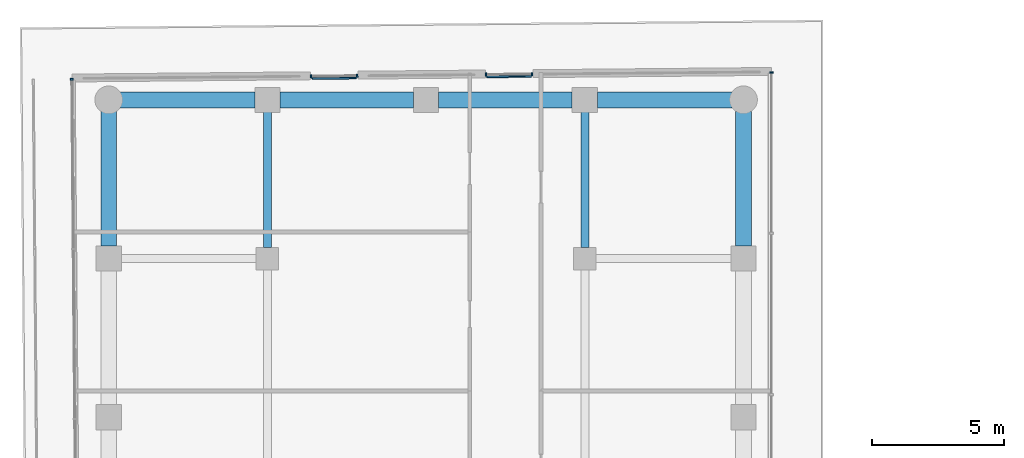
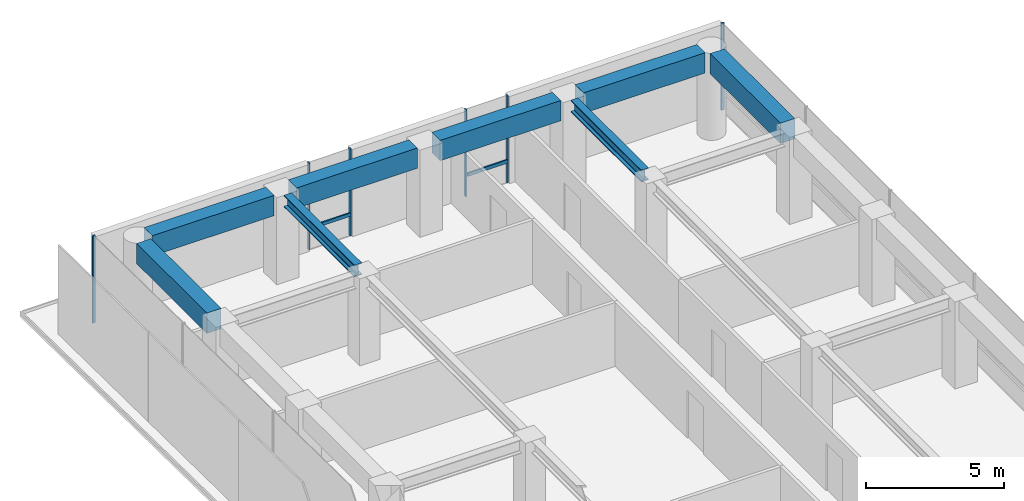
# One storey, part 20 of 28: 8 beams, 8 members, 4 elements without a shape of their own.
"""IFC4 building model written with IfcOpenShell, lengths in metres."""

from ifc_helpers import new_model, si_unit, direction, frame, origin, origin_2d, place, context, subcontext, project, spatial, rectangle, i_section, extrude, material, layer, layer_set, material_profile, profile_set, type_object, element, aggregate, save


model = new_model("IFC4")

# Units and contexts
model_context = context("Model", 3, precision=1e-05, world=origin(), true_north=direction((0.0, 1.0)))
body_context = subcontext(model_context, "Body", "Model", "MODEL_VIEW")
ifc_project = project(units=[si_unit("LENGTHUNIT", "METRE"), si_unit("AREAUNIT", "SQUARE_METRE"), si_unit("VOLUMEUNIT", "CUBIC_METRE"), si_unit("PLANEANGLEUNIT", "RADIAN"), si_unit("MASSUNIT", "GRAM", prefix="KILO")], contexts=[model_context])

# Site, building, storey
site_placement = place(None, origin())
site = spatial("IfcSite", under=ifc_project, at=site_placement, CompositionType="ELEMENT")
building_placement = place(site_placement, origin())
building = spatial("IfcBuilding", under=site, at=building_placement, Name="Welwitschia Terrace Campus", CompositionType="ELEMENT")
storey_placement = place(building_placement, frame((0.0, 0.0, 54.199951171875)))
storey = spatial("IfcBuildingStorey", under=building, at=storey_placement, Name="L12", CompositionType="ELEMENT", Elevation=54.199951171875)

# Beams
ifc_material_1 = material(Name="Steel S355", Category="steel")
ifc_material_profile_1 = material_profile(ifc_material_1, i_section(OverallWidth=0.305908203125, OverallDepth=0.52392578125, WebThickness=0.02099609375, FlangeThickness=0.0400390625, FilletRadius=0.027099609375, at=origin_2d()))
ifc_profile_set_1 = profile_set([ifc_material_profile_1], Name="Steel S355")
beam_type_1 = type_object("IfcBeamType", Name="Interior girder HE 500 M", PredefinedType="BEAM", material=ifc_profile_set_1)
for number, where, z_axis, x_axis, name in (
    (1, (6.0, 56.425537109375, 3.588134765625), (0.0, 1.0, 0.0), (-1.0, 0.0, 0.0), "Girder GB2"),
    (2, (18.0, 56.425537109375, 3.588134765625), (0.0, 1.0, 0.0), (-1.0, 0.0, 0.0), "Girder GB2"),
):
    element("IfcBeam", number, at=place(storey_placement, frame(where, z_axis=z_axis, x_axis=x_axis)), inside=storey, type_object=beam_type_1, Name=name, PredefinedType="BEAM", context=body_context, shape_type="SweptSolid", body=[
        extrude(i_section(OverallWidth=0.305908203125, OverallDepth=0.52392578125, WebThickness=0.02099609375, FlangeThickness=0.0400390625, FilletRadius=0.027099609375, at=origin_2d()), origin(), (0.0, 0.0, 1.0), 5.10888671875),
    ])

# Curtain wall, member
ifc_material_2 = material(Name="Bronze anodised aluminium", Category="aluminium")
ifc_layer = layer(ifc_material_2, 0.1201171875)
ifc_layer_set = layer_set([ifc_layer], Name="Bronze anodised aluminium")
curtain_wall_type = type_object("IfcCurtainWallType", Name="Curtain wall CW2 tower 6000", PredefinedType="NOTDEFINED", material=ifc_layer_set)
curtain_wall_1_placement = place(storey_placement, origin())
curtain_wall_1 = element("IfcCurtainWall", 3, at=curtain_wall_1_placement, inside=storey, type_object=curtain_wall_type, Name="CW L12.0.0", PredefinedType="NOTDEFINED")
ifc_material_3 = material(Name="Bronze anodised aluminium", Category="aluminium")
ifc_material_profile_2 = material_profile(ifc_material_3, rectangle(XDim=0.1201171875, YDim=0.06005859375, at=origin_2d()))
ifc_profile_set_2 = profile_set([ifc_material_profile_2], Name="Bronze anodised aluminium")
member_type_1 = type_object("IfcMemberType", Name="Mullion 60x120", PredefinedType="MULLION", material=ifc_profile_set_2)
member_1_placement = place(storey_placement, frame((-1.39501953125, 62.779296875, 0.0), z_axis=(0.0, 0.0, 1.0), x_axis=(0.999961923064, 0.008726535498, 0.0)))
member_1 = element("IfcMember", 4, at=member_1_placement, type_object=member_type_1, Name="Mullion L12.0.0.0", PredefinedType="MULLION", context=body_context, shape_type="SweptSolid", body=[
    extrude(rectangle(XDim=0.1201171875, YDim=0.06005859375, at=origin_2d()), origin(), (0.0, 0.0, 1.0), 3.85009765625),
])
aggregate(curtain_wall_1, [member_1])

curtain_wall_2_placement = place(storey_placement, origin())
curtain_wall_2 = element("IfcCurtainWall", 5, at=curtain_wall_2_placement, inside=storey, type_object=curtain_wall_type, Name="CW L12.10.0", PredefinedType="NOTDEFINED")
member_2_placement = place(storey_placement, frame((25.05810546875, 63.028564453125, 0.0), z_axis=(0.0, 0.0, 1.0), x_axis=(-1.0, 0.0, 0.0)))
member_2 = element("IfcMember", 6, at=member_2_placement, type_object=member_type_1, Name="Mullion L12.10.0.6", PredefinedType="MULLION", context=body_context, shape_type="SweptSolid", body=[
    extrude(rectangle(XDim=0.1201171875, YDim=0.06005859375, at=origin_2d()), origin(), (0.0, 0.0, 1.0), 3.85009765625),
])
aggregate(curtain_wall_2, [member_2])

# Curtain wall, members
curtain_wall_3_placement = place(storey_placement, origin())
curtain_wall_3 = element("IfcCurtainWall", 7, at=curtain_wall_3_placement, inside=storey, type_object=curtain_wall_type, Name="CW L12.11.S0", PredefinedType="NOTDEFINED")
member_3_placement = place(storey_placement, frame((16.008056640625, 62.973388671875, 0.0), z_axis=(0.0, 0.0, 1.0), x_axis=(0.009422157401, -0.99995561049, 0.0)))
member_3 = element("IfcMember", 8, at=member_3_placement, type_object=member_type_1, Name="Mullion L12.11.S0.0", PredefinedType="MULLION", context=body_context, shape_type="SweptSolid", body=[
    extrude(rectangle(XDim=0.1201171875, YDim=0.06005859375, at=origin_2d()), origin(), (0.0, 0.0, 1.0), 3.85009765625),
])
member_4_placement = place(storey_placement, frame((14.26806640625, 62.956787109375, 0.0), z_axis=(0.0, 0.0, 1.0), x_axis=(0.009422157401, -0.99995561049, 0.0)))
member_4 = element("IfcMember", 9, at=member_4_placement, type_object=member_type_1, Name="Mullion L12.11.S0.1", PredefinedType="MULLION", context=body_context, shape_type="SweptSolid", body=[
    extrude(rectangle(XDim=0.1201171875, YDim=0.06005859375, at=origin_2d()), origin(), (0.0, 0.0, 1.0), 3.85009765625),
])

curtain_wall_4_placement = place(storey_placement, origin())
curtain_wall_4 = element("IfcCurtainWall", 10, at=curtain_wall_4_placement, inside=storey, type_object=curtain_wall_type, Name="CW L12.11.S1", PredefinedType="NOTDEFINED")
member_5_placement = place(storey_placement, frame((9.394775390625, 62.910888671875, 0.0), z_axis=(0.0, 0.0, 1.0), x_axis=(0.009422157401, -0.99995561049, 0.0)))
member_5 = element("IfcMember", 11, at=member_5_placement, type_object=member_type_1, Name="Mullion L12.11.S1.0", PredefinedType="MULLION", context=body_context, shape_type="SweptSolid", body=[
    extrude(rectangle(XDim=0.1201171875, YDim=0.06005859375, at=origin_2d()), origin(), (0.0, 0.0, 1.0), 3.85009765625),
])
member_6_placement = place(storey_placement, frame((7.65478515625, 62.89453125, 0.0), z_axis=(0.0, 0.0, 1.0), x_axis=(0.009422157401, -0.99995561049, 0.0)))
member_6 = element("IfcMember", 12, at=member_6_placement, type_object=member_type_1, Name="Mullion L12.11.S1.1", PredefinedType="MULLION", context=body_context, shape_type="SweptSolid", body=[
    extrude(rectangle(XDim=0.1201171875, YDim=0.06005859375, at=origin_2d()), origin(), (0.0, 0.0, 1.0), 3.85009765625),
])

# Beams
ifc_material_4 = material(Name="Concrete C60/75", Category="concrete")
ifc_material_profile_3 = material_profile(ifc_material_4, rectangle(XDim=0.60009765625, YDim=0.89990234375, at=origin_2d()))
ifc_profile_set_3 = profile_set([ifc_material_profile_3], Name="Concrete C60/75")
beam_type_2 = type_object("IfcBeamType", Name="Ring spandrel 600x900", PredefinedType="SPANDREL", material=ifc_profile_set_3)
for number, where, z_axis, x_axis, name in (
    (13, (24.0, 56.4755859375, 3.400146484375), (0.0, 1.0, 0.0), (-1.0, 0.0, 0.0), "Spandrel SP2"),
    (14, (23.568603515625, 62.0, 3.400146484375), (-1.0, 0.0, 0.0), (0.0, -1.0, 0.0), "Spandrel SP2"),
):
    element("IfcBeam", number, at=place(storey_placement, frame(where, z_axis=z_axis, x_axis=x_axis)), inside=storey, type_object=beam_type_2, Name=name, PredefinedType="SPANDREL", context=body_context, shape_type="SweptSolid", body=[
        extrude(rectangle(XDim=0.60009765625, YDim=0.89990234375, at=origin_2d()), origin(), (0.0, 0.0, 1.0), 5.093017578125),
    ])
for number, where, z_axis, x_axis, name in (
    (15, (17.5244140625, 62.0, 3.400146484375), (-1.0, 0.0, 0.0), (0.0, -1.0, 0.0), "Spandrel SP2"),
    (16, (11.5244140625, 62.0, 3.400146484375), (-1.0, 0.0, 0.0), (0.0, -1.0, 0.0), "Spandrel SP2"),
):
    element("IfcBeam", number, at=place(storey_placement, frame(where, z_axis=z_axis, x_axis=x_axis)), inside=storey, type_object=beam_type_2, Name=name, PredefinedType="SPANDREL", context=body_context, shape_type="SweptSolid", body=[
        extrude(rectangle(XDim=0.60009765625, YDim=0.89990234375, at=origin_2d()), origin(), (0.0, 0.0, 1.0), 5.048828125),
    ])
for number, where, z_axis, x_axis, name in (
    (17, (5.5244140625, 62.0, 3.400146484375), (-1.0, 0.0, 0.0), (0.0, -1.0, 0.0), "Spandrel SP2"),
    (18, (0.0, 61.568603515625, 3.400146484375), (0.0, -1.0, 0.0), (1.0, 0.0, 0.0), "Spandrel SP2"),
):
    element("IfcBeam", number, at=place(storey_placement, frame(where, z_axis=z_axis, x_axis=x_axis)), inside=storey, type_object=beam_type_2, Name=name, PredefinedType="SPANDREL", context=body_context, shape_type="SweptSolid", body=[
        extrude(rectangle(XDim=0.60009765625, YDim=0.89990234375, at=origin_2d()), origin(), (0.0, 0.0, 1.0), 5.093017578125),
    ])

# Member
ifc_material_5 = material(Name="Bronze anodised aluminium", Category="aluminium")
ifc_material_profile_4 = material_profile(ifc_material_5, rectangle(XDim=0.06005859375, YDim=0.14990234375, at=origin_2d()))
ifc_profile_set_4 = profile_set([ifc_material_profile_4], Name="Bronze anodised aluminium")
member_type_2 = type_object("IfcMemberType", Name="Transom 60x150", PredefinedType="USERDEFINED", material=ifc_profile_set_4)
member_7_placement = place(storey_placement, frame((15.978759765625, 62.883056640625, 1.0), z_axis=(-0.999955386681, -0.009445879979, 0.0), x_axis=(0.009445879979, -0.999955386681, 0.0)))
member_7 = element("IfcMember", 19, at=member_7_placement, type_object=member_type_2, Name="Transom L12.11.S0", ObjectType="TRANSOM", PredefinedType="USERDEFINED", context=body_context, shape_type="SweptSolid", body=[
    extrude(rectangle(XDim=0.06005859375, YDim=0.14990234375, at=origin_2d()), origin(), (0.0, 0.0, 1.0), 1.679931640625),
])

aggregate(curtain_wall_3, [member_3, member_4, member_7])

member_8_placement = place(storey_placement, frame((9.365478515625, 62.82080078125, 1.0), z_axis=(-0.999955386681, -0.009445879979, 0.0), x_axis=(0.009445879979, -0.999955386681, 0.0)))
member_8 = element("IfcMember", 20, at=member_8_placement, type_object=member_type_2, Name="Transom L12.11.S1", ObjectType="TRANSOM", PredefinedType="USERDEFINED", context=body_context, shape_type="SweptSolid", body=[
    extrude(rectangle(XDim=0.06005859375, YDim=0.14990234375, at=origin_2d()), origin(), (0.0, 0.0, 1.0), 1.679931640625),
])

aggregate(curtain_wall_4, [member_5, member_6, member_8])

save(model, "model.ifc")
